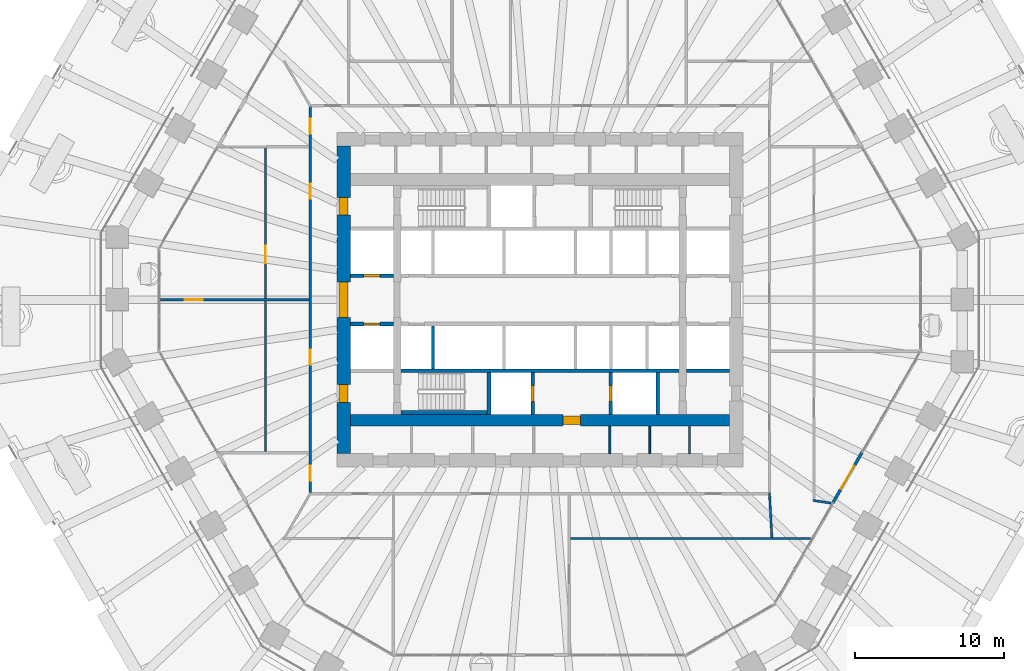
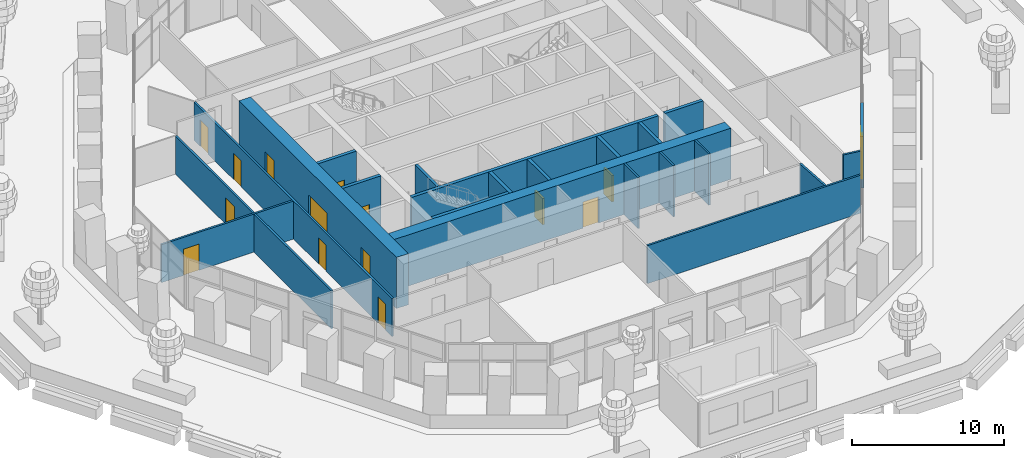
# One storey, part 23 of 32: 22 walls, 15 doors, 1 window, 16 openings.
"""IFC4 building model written with IfcOpenShell, lengths in metres."""

from ifc_helpers import new_model, si_unit, direction, frame, frame_2d, origin, place, context, subcontext, project, spatial, rectangle, extrude, material, layer, layer_set, type_object, element, fill, save


model = new_model("IFC4")

# Units and contexts
model_context = context("Model", 3, precision=1e-05, world=origin(), true_north=direction((0.0, 1.0)))
body_context = subcontext(model_context, "Body", "Model", "MODEL_VIEW")
ifc_project = project(units=[si_unit("LENGTHUNIT", "METRE"), si_unit("AREAUNIT", "SQUARE_METRE"), si_unit("VOLUMEUNIT", "CUBIC_METRE"), si_unit("PLANEANGLEUNIT", "RADIAN"), si_unit("MASSUNIT", "GRAM", prefix="KILO")], contexts=[model_context])

# Site, building, storey
site_placement = place(None, origin())
site = spatial("IfcSite", under=ifc_project, at=site_placement, CompositionType="ELEMENT")
building_placement = place(site_placement, origin())
building = spatial("IfcBuilding", under=site, at=building_placement, Name="Frailejon Research Tower", CompositionType="ELEMENT")
storey_placement = place(building_placement, frame((0.0, 0.0, 14.60009765625)))
storey = spatial("IfcBuildingStorey", under=building, at=storey_placement, Name="L03", CompositionType="ELEMENT", Elevation=14.60009765625)

# Walls
ifc_material_1 = material(Name="Plasterboard on steel studs", Category="steel")
ifc_layer_1 = layer(ifc_material_1, 0.125)
ifc_layer_set_1 = layer_set([ifc_layer_1], Name="Core partition 125")
wall_type_1 = type_object("IfcWallType", Name="Core partition 125", PredefinedType="PARTITIONING", material=ifc_layer_set_1)
for number, where, z_axis, x_axis, name in (
    (1, (4.71240234375, -10.35009765625, 0.0), (0.0, 0.0, 1.0), (0.0, 1.0, 0.0), "Core partition"),
    (2, (7.3916015625, -10.35009765625, 0.0), (0.0, 0.0, 1.0), (0.0, 1.0, 0.0), "Core partition"),
    (3, (10.07080078125, -10.35009765625, 0.0), (0.0, 0.0, 1.0), (0.0, 1.0, 0.0), "Core partition"),
):
    element("IfcWall", number, at=place(storey_placement, frame(where, z_axis=z_axis, x_axis=x_axis)), inside=storey, type_object=wall_type_1, Name=name, PredefinedType="PARTITIONING", context=body_context, shape_type="SweptSolid", body=[
        extrude(rectangle(XDim=1.85009765625, YDim=0.125, at=frame_2d((0.925048828125, 0.0))), origin(), (0.0, 0.0, 1.0), 4.099853515625),
    ])

# Wall, opening, door
ifc_material_2 = material(Name="Concrete C70/85", Category="concrete")
ifc_layer_2 = layer(ifc_material_2, 0.800048828125)
ifc_layer_set_2 = layer_set([ifc_layer_2], Name="Core shear wall 800 C70/85")
wall_type_2 = type_object("IfcWallType", Name="Core shear wall 800 C70/85", PredefinedType="SHEAR", material=ifc_layer_set_2)
wall_1_placement = place(storey_placement, frame((-12.75, -8.10009765625, 0.0), z_axis=(0.0, 0.0, 1.0), x_axis=(1.0, 0.0, 0.0)))
wall_1 = element("IfcWall", 4, at=wall_1_placement, inside=storey, type_object=wall_type_2, Name="Core shear wall", PredefinedType="SHEAR", context=body_context, shape_type="SweptSolid", body=[
    extrude(rectangle(XDim=25.5, YDim=0.800048828125, at=frame_2d((12.75, 0.0))), origin(), (0.0, 0.0, 1.0), 4.099853515625),
])
opening_1_placement = place(wall_1_placement, frame((14.300048828125, 0.0, 0.0)))
opening_1 = element("IfcOpeningElement", 5, at=opening_1_placement, cuts=wall_1, Name="Opening D3", PredefinedType="OPENING", context=body_context, shape_type="SweptSolid", body=[
    extrude(rectangle(XDim=1.199951171875, YDim=2.10009765625, at=frame_2d((0.60009765625, 1.050048828125))), frame((0.0, 0.409912109375, 0.0), z_axis=(0.0, -1.0, 0.0), x_axis=(1.0, 0.0, 0.0)), (0.0, 0.0, 1.0), 0.820068359375),
])
ifc_material_3 = material(Name="Steel", Category="steel")
door_type_1 = type_object("IfcDoorType", Name="Firefighting lobby door", OperationType="SINGLE_SWING_LEFT", PredefinedType="DOOR", material=ifc_material_3)
door_1_placement = place(opening_1_placement, origin())
door_1 = element("IfcDoor", 6, at=door_1_placement, inside=storey, type_object=door_type_1, Name="Firefighting lobby door", OperationType="SINGLE_SWING_LEFT", OverallHeight=2.10009765625, OverallWidth=1.199951171875, PredefinedType="DOOR", context=body_context, shape_type="SweptSolid", body=[
    extrude(rectangle(XDim=1.199951171875, YDim=2.10009765625, at=frame_2d((0.60009765625, 1.050048828125))), frame((0.0, 0.300048828125, 0.0), z_axis=(0.0, -1.0, 0.0), x_axis=(1.0, 0.0, 0.0)), (0.0, 0.0, 1.0), 0.60009765625),
])
fill(opening_1, door_1)

# Wall, openings, doors
ifc_material_4 = material(Name="Concrete C70/85", Category="concrete")
ifc_layer_3 = layer(ifc_material_4, 0.89990234375)
ifc_layer_set_3 = layer_set([ifc_layer_3], Name="Core shear wall 900 C70/85")
wall_type_3 = type_object("IfcWallType", Name="Core shear wall 900 C70/85", PredefinedType="SHEAR", material=ifc_layer_set_3)
wall_2_placement = place(storey_placement, frame((-13.199951171875, -10.35009765625, 0.0), z_axis=(0.0, 0.0, 1.0), x_axis=(0.0, 1.0, 0.0)))
wall_2 = element("IfcWall", 7, at=wall_2_placement, inside=storey, type_object=wall_type_3, Name="Core shear wall", PredefinedType="SHEAR", context=body_context, shape_type="SweptSolid", body=[
    extrude(rectangle(XDim=20.7001953125, YDim=0.89990234375, at=frame_2d((10.35009765625, 0.0))), origin(), (0.0, 0.0, 1.0), 4.099853515625),
])
opening_2_placement = place(wall_2_placement, frame((9.14990234375, 0.0, 0.0)))
opening_2 = element("IfcOpeningElement", 8, at=opening_2_placement, cuts=wall_2, Name="Opening D2", PredefinedType="OPENING", context=body_context, shape_type="SweptSolid", body=[
    extrude(rectangle(XDim=2.39990234375, YDim=2.10009765625, at=frame_2d((1.199951171875, 1.050048828125))), frame((0.0, 0.4599609375, 0.0), z_axis=(0.0, -1.0, 0.0), x_axis=(1.0, 0.0, 0.0)), (0.0, 0.0, 1.0), 0.919921875),
])
opening_3_placement = place(wall_2_placement, frame((16.050048828125, 0.0, 0.0)))
opening_3 = element("IfcOpeningElement", 9, at=opening_3_placement, cuts=wall_2, Name="Opening D7", PredefinedType="OPENING", context=body_context, shape_type="SweptSolid", body=[
    extrude(rectangle(XDim=1.199951171875, YDim=2.10009765625, at=frame_2d((0.60009765625, 1.050048828125))), frame((0.0, 0.4599609375, 0.0), z_axis=(0.0, -1.0, 0.0), x_axis=(1.0, 0.0, 0.0)), (0.0, 0.0, 1.0), 0.919921875),
])
opening_4_placement = place(wall_2_placement, frame((3.449951171875, 0.0, 0.0)))
opening_4 = element("IfcOpeningElement", 10, at=opening_4_placement, cuts=wall_2, Name="Opening D7", PredefinedType="OPENING", context=body_context, shape_type="SweptSolid", body=[
    extrude(rectangle(XDim=1.199951171875, YDim=2.10009765625, at=frame_2d((0.60009765625, 1.050048828125))), frame((0.0, 0.4599609375, 0.0), z_axis=(0.0, -1.0, 0.0), x_axis=(1.0, 0.0, 0.0)), (0.0, 0.0, 1.0), 0.919921875),
])
ifc_material_5 = material(Name="Steel", Category="steel")
door_type_2 = type_object("IfcDoorType", Name="Lobby double door", OperationType="DOUBLE_DOOR_SINGLE_SWING", PredefinedType="DOOR", material=ifc_material_5)
door_2_placement = place(opening_2_placement, origin())
door_2 = element("IfcDoor", 11, at=door_2_placement, inside=storey, type_object=door_type_2, Name="Lobby door", OperationType="DOUBLE_DOOR_SINGLE_SWING", OverallHeight=2.10009765625, OverallWidth=2.39990234375, PredefinedType="DOOR", context=body_context, shape_type="SweptSolid", body=[
    extrude(rectangle(XDim=2.39990234375, YDim=2.10009765625, at=frame_2d((1.199951171875, 1.050048828125))), frame((0.0, 0.300048828125, 0.0), z_axis=(0.0, -1.0, 0.0), x_axis=(1.0, 0.0, 0.0)), (0.0, 0.0, 1.0), 0.60009765625),
])
fill(opening_2, door_2)
ifc_material_6 = material(Name="Steel", Category="steel")
door_type_3 = type_object("IfcDoorType", Name="Stair exit door", OperationType="SINGLE_SWING_LEFT", PredefinedType="DOOR", material=ifc_material_6)
door_3_placement = place(opening_3_placement, origin())
door_3 = element("IfcDoor", 12, at=door_3_placement, inside=storey, type_object=door_type_3, Name="Stair exit door ST1", OperationType="SINGLE_SWING_RIGHT", OverallHeight=2.10009765625, OverallWidth=1.199951171875, PredefinedType="DOOR", context=body_context, shape_type="SweptSolid", body=[
    extrude(rectangle(XDim=1.199951171875, YDim=2.10009765625, at=frame_2d((0.60009765625, 1.050048828125))), frame((0.0, 0.300048828125, 0.0), z_axis=(0.0, -1.0, 0.0), x_axis=(1.0, 0.0, 0.0)), (0.0, 0.0, 1.0), 0.60009765625),
])
fill(opening_3, door_3)
door_4_placement = place(opening_4_placement, origin())
door_4 = element("IfcDoor", 13, at=door_4_placement, inside=storey, type_object=door_type_3, Name="Stair exit door ST2", OperationType="SINGLE_SWING_RIGHT", OverallHeight=2.10009765625, OverallWidth=1.199951171875, PredefinedType="DOOR", context=body_context, shape_type="SweptSolid", body=[
    extrude(rectangle(XDim=1.199951171875, YDim=2.10009765625, at=frame_2d((0.60009765625, 1.050048828125))), frame((0.0, 0.300048828125, 0.0), z_axis=(0.0, -1.0, 0.0), x_axis=(1.0, 0.0, 0.0)), (0.0, 0.0, 1.0), 0.60009765625),
])
fill(opening_4, door_4)

ifc_material_7 = material(Name="Gypsum board and masonry partition", Category="masonry")
ifc_layer_4 = layer(ifc_material_7, 0.14990234375)
ifc_layer_set_4 = layer_set([ifc_layer_4], Name="Corridor wall EI 60, gypsum on steel studs 150")
wall_type_4 = type_object("IfcWallType", Name="Corridor wall EI 60, gypsum on steel studs 150", PredefinedType="PARTITIONING", material=ifc_layer_set_4)
wall_3_placement = place(storey_placement, frame((-15.449951171875, -12.97509765625, 0.0), z_axis=(0.0, 0.0, 1.0), x_axis=(0.0, 1.0, 0.0)))
wall_3 = element("IfcWall", 14, at=wall_3_placement, inside=storey, type_object=wall_type_4, Name="T:IW:L03:003", PredefinedType="PARTITIONING", context=body_context, shape_type="SweptSolid", body=[
    extrude(rectangle(XDim=25.97509765625, YDim=0.14990234375, at=frame_2d((12.987548828125, 0.0))), origin(), (0.0, 0.0, 1.0), 3.0498046875),
])
opening_5_placement = place(wall_3_placement, frame((24.146484375, 0.0, 0.0)))
opening_5 = element("IfcOpeningElement", 15, at=opening_5_placement, cuts=wall_3, Name="Opening D1230", PredefinedType="OPENING", context=body_context, shape_type="SweptSolid", body=[
    extrude(rectangle(XDim=1.0, YDim=2.10009765625, at=frame_2d((0.5, 1.050048828125))), frame((0.0, 0.0849609375, 0.0), z_axis=(0.0, -1.0, 0.0), x_axis=(1.0, 0.0, 0.0)), (0.0, 0.0, 1.0), 0.169921875),
])
opening_6_placement = place(wall_3_placement, frame((19.76953125, 0.0, 0.0)))
opening_6 = element("IfcOpeningElement", 16, at=opening_6_placement, cuts=wall_3, Name="Opening D1231", PredefinedType="OPENING", context=body_context, shape_type="SweptSolid", body=[
    extrude(rectangle(XDim=1.0, YDim=2.10009765625, at=frame_2d((0.5, 1.050048828125))), frame((0.0, 0.0849609375, 0.0), z_axis=(0.0, -1.0, 0.0), x_axis=(1.0, 0.0, 0.0)), (0.0, 0.0, 1.0), 0.169921875),
])
opening_7_placement = place(wall_3_placement, frame((8.617431640625, 0.0, 0.0)))
opening_7 = element("IfcOpeningElement", 17, at=opening_7_placement, cuts=wall_3, Name="Opening D1234", PredefinedType="OPENING", context=body_context, shape_type="SweptSolid", body=[
    extrude(rectangle(XDim=1.0, YDim=2.10009765625, at=frame_2d((0.5, 1.050048828125))), frame((0.0, 0.0849609375, 0.0), z_axis=(0.0, -1.0, 0.0), x_axis=(1.0, 0.0, 0.0)), (0.0, 0.0, 1.0), 0.169921875),
])
opening_8_placement = place(wall_3_placement, frame((0.8037109375, 0.0, 0.0)))
opening_8 = element("IfcOpeningElement", 18, at=opening_8_placement, cuts=wall_3, Name="Opening D1235", PredefinedType="OPENING", context=body_context, shape_type="SweptSolid", body=[
    extrude(rectangle(XDim=1.0, YDim=2.10009765625, at=frame_2d((0.5, 1.050048828125))), frame((0.0, 0.0849609375, 0.0), z_axis=(0.0, -1.0, 0.0), x_axis=(1.0, 0.0, 0.0)), (0.0, 0.0, 1.0), 0.169921875),
])
ifc_material_8 = material(Name="Timber door leaf", Category="wood")
door_type_4 = type_object("IfcDoorType", Name="Door laboratory, timber, vision panel 1000", OperationType="NOTDEFINED", PredefinedType="DOOR", material=ifc_material_8)
door_5_placement = place(opening_6_placement, origin())
door_5 = element("IfcDoor", 19, at=door_5_placement, inside=storey, type_object=door_type_4, Name="D1231", OperationType="SINGLE_SWING_LEFT", OverallHeight=2.10009765625, OverallWidth=1.0, PredefinedType="DOOR", context=body_context, shape_type="SweptSolid", body=[
    extrude(rectangle(XDim=1.0, YDim=2.10009765625, at=frame_2d((0.5, 1.050048828125))), frame((0.0, 0.02490234375, 0.0), z_axis=(0.0, -1.0, 0.0), x_axis=(1.0, 0.0, 0.0)), (0.0, 0.0, 1.0), 0.050048828125),
])
fill(opening_6, door_5)
door_6_placement = place(opening_7_placement, origin())
door_6 = element("IfcDoor", 20, at=door_6_placement, inside=storey, type_object=door_type_4, Name="D1234", OperationType="SINGLE_SWING_RIGHT", OverallHeight=2.10009765625, OverallWidth=1.0, PredefinedType="DOOR", context=body_context, shape_type="SweptSolid", body=[
    extrude(rectangle(XDim=1.0, YDim=2.10009765625, at=frame_2d((0.5, 1.050048828125))), frame((0.0, 0.02490234375, 0.0), z_axis=(0.0, -1.0, 0.0), x_axis=(1.0, 0.0, 0.0)), (0.0, 0.0, 1.0), 0.050048828125),
])
fill(opening_7, door_6)
ifc_material_9 = material(Name="Timber door leaf", Category="wood")
door_type_5 = type_object("IfcDoorType", Name="Door single leaf, timber, steel frame 1000", OperationType="NOTDEFINED", PredefinedType="DOOR", material=ifc_material_9)
door_7_placement = place(opening_5_placement, origin())
door_7 = element("IfcDoor", 21, at=door_7_placement, inside=storey, type_object=door_type_5, Name="D1230", OperationType="SINGLE_SWING_LEFT", OverallHeight=2.10009765625, OverallWidth=1.0, PredefinedType="DOOR", context=body_context, shape_type="SweptSolid", body=[
    extrude(rectangle(XDim=1.0, YDim=2.10009765625, at=frame_2d((0.5, 1.050048828125))), frame((0.0, 0.02490234375, 0.0), z_axis=(0.0, -1.0, 0.0), x_axis=(1.0, 0.0, 0.0)), (0.0, 0.0, 1.0), 0.050048828125),
])
fill(opening_5, door_7)
door_8_placement = place(opening_8_placement, origin())
door_8 = element("IfcDoor", 22, at=door_8_placement, inside=storey, type_object=door_type_5, Name="D1235", OperationType="SINGLE_SWING_RIGHT", OverallHeight=2.10009765625, OverallWidth=1.0, PredefinedType="DOOR", context=body_context, shape_type="SweptSolid", body=[
    extrude(rectangle(XDim=1.0, YDim=2.10009765625, at=frame_2d((0.5, 1.050048828125))), frame((0.0, 0.02490234375, 0.0), z_axis=(0.0, -1.0, 0.0), x_axis=(1.0, 0.0, 0.0)), (0.0, 0.0, 1.0), 0.050048828125),
])
fill(opening_8, door_8)

# Wall, opening, door
ifc_material_10 = material(Name="Gypsum board and masonry partition", Category="masonry")
ifc_layer_5 = layer(ifc_material_10, 0.14990234375)
ifc_layer_set_5 = layer_set([ifc_layer_5], Name="Laboratory partition, blockwork 150")
wall_type_5 = type_object("IfcWallType", Name="Laboratory partition, blockwork 150", PredefinedType="PARTITIONING", material=ifc_layer_set_5)
wall_4_placement = place(storey_placement, frame((-18.449951171875, -10.2177734375, 0.0), z_axis=(0.0, 0.0, 1.0), x_axis=(0.0, 1.0, 0.0)))
wall_4 = element("IfcWall", 23, at=wall_4_placement, inside=storey, type_object=wall_type_5, Name="T:IW:L03:016", PredefinedType="PARTITIONING", context=body_context, shape_type="SweptSolid", body=[
    extrude(rectangle(XDim=20.460693359375, YDim=0.14990234375, at=frame_2d((10.23046875, 0.0))), origin(), (0.0, 0.0, 1.0), 3.0498046875),
])
opening_9_placement = place(wall_4_placement, frame((12.666015625, 0.0, 0.0)))
opening_9 = element("IfcOpeningElement", 24, at=opening_9_placement, cuts=wall_4, Name="Opening D1232", PredefinedType="OPENING", context=body_context, shape_type="SweptSolid", body=[
    extrude(rectangle(XDim=1.199951171875, YDim=2.10009765625, at=frame_2d((0.60009765625, 1.050048828125))), frame((0.0, 0.0849609375, 0.0), z_axis=(0.0, -1.0, 0.0), x_axis=(1.0, 0.0, 0.0)), (0.0, 0.0, 1.0), 0.169921875),
])
ifc_material_11 = material(Name="Timber door leaf", Category="wood")
door_type_6 = type_object("IfcDoorType", Name="Door single leaf, timber, steel frame 1200", OperationType="NOTDEFINED", PredefinedType="DOOR", material=ifc_material_11)
door_9_placement = place(opening_9_placement, origin())
door_9 = element("IfcDoor", 25, at=door_9_placement, inside=storey, type_object=door_type_6, Name="D1232", OperationType="DOUBLE_DOOR_SINGLE_SWING", OverallHeight=2.10009765625, OverallWidth=1.199951171875, PredefinedType="DOOR", context=body_context, shape_type="SweptSolid", body=[
    extrude(rectangle(XDim=1.199951171875, YDim=2.10009765625, at=frame_2d((0.60009765625, 1.050048828125))), frame((0.0, 0.02490234375, 0.0), z_axis=(0.0, -1.0, 0.0), x_axis=(1.0, 0.0, 0.0)), (0.0, 0.0, 1.0), 0.050048828125),
])
fill(opening_9, door_9)

wall_5_placement = place(storey_placement, frame((-25.5126953125, 0.0, 0.0), z_axis=(0.0, 0.0, 1.0), x_axis=(1.0, 0.0, 0.0)))
wall_5 = element("IfcWall", 26, at=wall_5_placement, inside=storey, type_object=wall_type_5, Name="T:IW:L03:017", PredefinedType="PARTITIONING", context=body_context, shape_type="SweptSolid", body=[
    extrude(rectangle(XDim=9.98779296875, YDim=0.14990234375, at=frame_2d((4.993896484375, 0.0))), origin(), (0.0, 0.0, 1.0), 3.0498046875),
])
opening_10_placement = place(wall_5_placement, frame((1.640625, 0.0, 0.0)))
opening_10 = element("IfcOpeningElement", 27, at=opening_10_placement, cuts=wall_5, Name="Opening D1233", PredefinedType="OPENING", context=body_context, shape_type="SweptSolid", body=[
    extrude(rectangle(XDim=1.199951171875, YDim=2.10009765625, at=frame_2d((0.60009765625, 1.050048828125))), frame((0.0, 0.0849609375, 0.0), z_axis=(0.0, -1.0, 0.0), x_axis=(1.0, 0.0, 0.0)), (0.0, 0.0, 1.0), 0.169921875),
])
ifc_material_12 = material(Name="Timber door leaf", Category="wood")
door_type_7 = type_object("IfcDoorType", Name="Door laboratory, timber, vision panel 1200", OperationType="NOTDEFINED", PredefinedType="DOOR", material=ifc_material_12)
door_10_placement = place(opening_10_placement, origin())
door_10 = element("IfcDoor", 28, at=door_10_placement, inside=storey, type_object=door_type_7, Name="D1233", OperationType="DOUBLE_DOOR_SINGLE_SWING", OverallHeight=2.10009765625, OverallWidth=1.199951171875, PredefinedType="DOOR", context=body_context, shape_type="SweptSolid", body=[
    extrude(rectangle(XDim=1.199951171875, YDim=2.10009765625, at=frame_2d((0.60009765625, 1.050048828125))), frame((0.0, 0.02490234375, 0.0), z_axis=(0.0, -1.0, 0.0), x_axis=(1.0, 0.0, 0.0)), (0.0, 0.0, 1.0), 0.050048828125),
])
fill(opening_10, door_10)

# Walls
wall_6_placement = place(storey_placement, frame((2.04638671875, -16.050048828125, 0.0), z_axis=(0.0, 0.0, 1.0), x_axis=(1.0, 0.0, 0.0)))
element("IfcWall", 29, at=wall_6_placement, inside=storey, type_object=wall_type_5, Name="T:IW:L03:020", PredefinedType="PARTITIONING", context=body_context, shape_type="SweptSolid", body=[
    extrude(rectangle(XDim=16.1689453125, YDim=0.14990234375, at=frame_2d((8.08447265625, 0.0))), origin(), (0.0, 0.0, 1.0), 3.0498046875),
])
wall_7_placement = place(storey_placement, frame((15.44580078125, -12.97509765625, 0.0), z_axis=(0.0, 0.0, 1.0), x_axis=(0.054281830831, -0.998525654574, 0.0)))
element("IfcWall", 30, at=wall_7_placement, inside=storey, type_object=wall_type_5, Name="T:IW:L03:023", PredefinedType="PARTITIONING", context=body_context, shape_type="SweptSolid", body=[
    extrude(rectangle(XDim=3.00439453125, YDim=0.14990234375, at=frame_2d((1.502197265625, 0.0))), origin(), (0.0, 0.0, 1.0), 3.0498046875),
])
wall_8_placement = place(storey_placement, frame((18.375732421875, -13.4921875, 0.0), z_axis=(0.0, 0.0, 1.0), x_axis=(0.988789647893, -0.149315210942, 0.0)))
element("IfcWall", 31, at=wall_8_placement, inside=storey, type_object=wall_type_5, Name="T:IW:L03:024", PredefinedType="PARTITIONING", context=body_context, shape_type="SweptSolid", body=[
    extrude(rectangle(XDim=1.224609375, YDim=0.14990234375, at=frame_2d((0.6123046875, 0.0))), origin(), (0.0, 0.0, 1.0), 3.0498046875),
])
ifc_material_13 = material(Name="Concrete C70/85", Category="concrete")
ifc_layer_6 = layer(ifc_material_13, 0.199951171875)
ifc_layer_set_6 = layer_set([ifc_layer_6], Name="Shaft wall 200 C70/85")
wall_type_6 = type_object("IfcWallType", Name="Shaft wall 200 C70/85", PredefinedType="SOLIDWALL", material=ifc_layer_set_6)
wall_9_placement = place(storey_placement, frame((-7.199951171875, -4.64990234375, 0.0), z_axis=(0.0, 0.0, 1.0), x_axis=(0.0, 1.0, 0.0)))
element("IfcWall", 32, at=wall_9_placement, inside=storey, type_object=wall_type_6, Name="Shaft wall", PredefinedType="SOLIDWALL", context=body_context, shape_type="SweptSolid", body=[
    extrude(rectangle(XDim=2.89990234375, YDim=0.199951171875, at=frame_2d((1.449951171875, 0.0))), origin(), (0.0, 0.0, 1.0), 4.099853515625),
])

# Wall, opening, door
ifc_material_14 = material(Name="Concrete C70/85", Category="concrete")
ifc_layer_7 = layer(ifc_material_14, 0.25)
ifc_layer_set_7 = layer_set([ifc_layer_7], Name="Shaft wall 250 C70/85")
wall_type_7 = type_object("IfcWallType", Name="Shaft wall 250 C70/85", PredefinedType="SOLIDWALL", material=ifc_layer_set_7)
wall_10_placement = place(storey_placement, frame((-12.75, 1.625, 0.0), z_axis=(0.0, 0.0, 1.0), x_axis=(1.0, 0.0, 0.0)))
wall_10 = element("IfcWall", 33, at=wall_10_placement, inside=storey, type_object=wall_type_7, Name="Shaft wall", PredefinedType="SOLIDWALL", context=body_context, shape_type="SweptSolid", body=[
    extrude(rectangle(XDim=2.89990234375, YDim=0.25, at=frame_2d((1.449951171875, 0.0))), origin(), (0.0, 0.0, 1.0), 4.099853515625),
])
opening_11_placement = place(wall_10_placement, frame((0.89990234375, 0.0, 0.0)))
opening_11 = element("IfcOpeningElement", 34, at=opening_11_placement, cuts=wall_10, Name="Opening LD", PredefinedType="OPENING", context=body_context, shape_type="SweptSolid", body=[
    extrude(rectangle(XDim=1.10009765625, YDim=2.10009765625, at=frame_2d((0.550048828125, 1.050048828125))), frame((0.0, 0.135009765625, 0.0), z_axis=(0.0, -1.0, 0.0), x_axis=(1.0, 0.0, 0.0)), (0.0, 0.0, 1.0), 0.27001953125),
])
ifc_material_15 = material(Name="Steel", Category="steel")
door_type_8 = type_object("IfcDoorType", Name="Lift landing door", OperationType="DOUBLE_DOOR_SLIDING", PredefinedType="DOOR", material=ifc_material_15)
door_11_placement = place(opening_11_placement, origin())
door_11 = element("IfcDoor", 35, at=door_11_placement, inside=storey, type_object=door_type_8, Name="Lift landing door", OperationType="DOUBLE_DOOR_SLIDING", OverallHeight=2.10009765625, OverallWidth=1.10009765625, PredefinedType="DOOR", context=body_context, shape_type="SweptSolid", body=[
    extrude(rectangle(XDim=1.10009765625, YDim=2.10009765625, at=frame_2d((0.550048828125, 1.050048828125))), frame((0.0, 0.074951171875, 0.0), z_axis=(0.0, -1.0, 0.0), x_axis=(1.0, 0.0, 0.0)), (0.0, 0.0, 1.0), 0.14990234375),
])
fill(opening_11, door_11)

wall_11_placement = place(storey_placement, frame((-12.75, -1.625, 0.0), z_axis=(0.0, 0.0, 1.0), x_axis=(1.0, 0.0, 0.0)))
wall_11 = element("IfcWall", 36, at=wall_11_placement, inside=storey, type_object=wall_type_7, Name="Shaft wall", PredefinedType="SOLIDWALL", context=body_context, shape_type="SweptSolid", body=[
    extrude(rectangle(XDim=2.89990234375, YDim=0.25, at=frame_2d((1.449951171875, 0.0))), origin(), (0.0, 0.0, 1.0), 4.099853515625),
])
opening_12_placement = place(wall_11_placement, frame((0.89990234375, 0.0, 0.0)))
opening_12 = element("IfcOpeningElement", 37, at=opening_12_placement, cuts=wall_11, Name="Opening LD", PredefinedType="OPENING", context=body_context, shape_type="SweptSolid", body=[
    extrude(rectangle(XDim=1.10009765625, YDim=2.10009765625, at=frame_2d((0.550048828125, 1.050048828125))), frame((0.0, 0.135009765625, 0.0), z_axis=(0.0, -1.0, 0.0), x_axis=(1.0, 0.0, 0.0)), (0.0, 0.0, 1.0), 0.27001953125),
])
door_12_placement = place(opening_12_placement, origin())
door_12 = element("IfcDoor", 38, at=door_12_placement, inside=storey, type_object=door_type_8, Name="Lift landing door", OperationType="DOUBLE_DOOR_SLIDING", OverallHeight=2.10009765625, OverallWidth=1.10009765625, PredefinedType="DOOR", context=body_context, shape_type="SweptSolid", body=[
    extrude(rectangle(XDim=1.10009765625, YDim=2.10009765625, at=frame_2d((0.550048828125, 1.050048828125))), frame((0.0, 0.074951171875, 0.0), z_axis=(0.0, -1.0, 0.0), x_axis=(1.0, 0.0, 0.0)), (0.0, 0.0, 1.0), 0.14990234375),
])
fill(opening_12, door_12)

# Walls
wall_12_placement = place(storey_placement, frame((-9.35009765625, -4.77490234375, 0.0), z_axis=(0.0, 0.0, 1.0), x_axis=(1.0, 0.0, 0.0)))
element("IfcWall", 39, at=wall_12_placement, inside=storey, type_object=wall_type_7, Name="Shaft wall", PredefinedType="SOLIDWALL", context=body_context, shape_type="SweptSolid", body=[
    extrude(rectangle(XDim=18.7001953125, YDim=0.25, at=frame_2d((9.35009765625, 0.0))), origin(), (0.0, 0.0, 1.0), 4.099853515625),
])
wall_13_placement = place(storey_placement, frame((9.85009765625, -4.77490234375, 0.0), z_axis=(0.0, 0.0, 1.0), x_axis=(1.0, 0.0, 0.0)))
element("IfcWall", 40, at=wall_13_placement, inside=storey, type_object=wall_type_7, Name="Shaft wall", PredefinedType="SOLIDWALL", context=body_context, shape_type="SweptSolid", body=[
    extrude(rectangle(XDim=2.89990234375, YDim=0.25, at=frame_2d((1.449951171875, 0.0))), origin(), (0.0, 0.0, 1.0), 4.099853515625),
])
wall_14_placement = place(storey_placement, frame((-9.35009765625, -7.574951171875, 0.0), z_axis=(0.0, 0.0, 1.0), x_axis=(1.0, 0.0, 0.0)))
element("IfcWall", 41, at=wall_14_placement, inside=storey, type_object=wall_type_7, Name="Shaft wall", PredefinedType="SOLIDWALL", context=body_context, shape_type="SweptSolid", body=[
    extrude(rectangle(XDim=5.800048828125, YDim=0.25, at=frame_2d((2.89990234375, 0.0))), origin(), (0.0, 0.0, 1.0), 4.099853515625),
])
wall_15_placement = place(storey_placement, frame((-3.425048828125, -7.699951171875, 0.0), z_axis=(0.0, 0.0, 1.0), x_axis=(0.0, 1.0, 0.0)))
element("IfcWall", 42, at=wall_15_placement, inside=storey, type_object=wall_type_7, Name="Shaft wall", PredefinedType="SOLIDWALL", context=body_context, shape_type="SweptSolid", body=[
    extrude(rectangle(XDim=2.800048828125, YDim=0.25, at=frame_2d((1.39990234375, 0.0))), origin(), (0.0, 0.0, 1.0), 4.099853515625),
])

# Wall, opening, door
wall_16_placement = place(storey_placement, frame((-0.47509765625, -7.699951171875, 0.0), z_axis=(0.0, 0.0, 1.0), x_axis=(0.0, 1.0, 0.0)))
wall_16 = element("IfcWall", 43, at=wall_16_placement, inside=storey, type_object=wall_type_7, Name="Shaft wall", PredefinedType="SOLIDWALL", context=body_context, shape_type="SweptSolid", body=[
    extrude(rectangle(XDim=2.800048828125, YDim=0.25, at=frame_2d((1.39990234375, 0.0))), origin(), (0.0, 0.0, 1.0), 4.099853515625),
])
opening_13_placement = place(wall_16_placement, frame((0.85009765625, 0.0, 0.0)))
opening_13 = element("IfcOpeningElement", 44, at=opening_13_placement, cuts=wall_16, Name="Opening LD", PredefinedType="OPENING", context=body_context, shape_type="SweptSolid", body=[
    extrude(rectangle(XDim=1.10009765625, YDim=2.10009765625, at=frame_2d((0.550048828125, 1.050048828125))), frame((0.0, 0.135009765625, 0.0), z_axis=(0.0, -1.0, 0.0), x_axis=(1.0, 0.0, 0.0)), (0.0, 0.0, 1.0), 0.27001953125),
])
door_13_placement = place(opening_13_placement, origin())
door_13 = element("IfcDoor", 45, at=door_13_placement, inside=storey, type_object=door_type_8, Name="Lift landing door", OperationType="DOUBLE_DOOR_SLIDING", OverallHeight=2.10009765625, OverallWidth=1.10009765625, PredefinedType="DOOR", context=body_context, shape_type="SweptSolid", body=[
    extrude(rectangle(XDim=1.10009765625, YDim=2.10009765625, at=frame_2d((0.550048828125, 1.050048828125))), frame((0.0, 0.074951171875, 0.0), z_axis=(0.0, -1.0, 0.0), x_axis=(1.0, 0.0, 0.0)), (0.0, 0.0, 1.0), 0.14990234375),
])
fill(opening_13, door_13)

wall_17_placement = place(storey_placement, frame((4.77490234375, -7.699951171875, 0.0), z_axis=(0.0, 0.0, 1.0), x_axis=(0.0, 1.0, 0.0)))
wall_17 = element("IfcWall", 46, at=wall_17_placement, inside=storey, type_object=wall_type_7, Name="Shaft wall", PredefinedType="SOLIDWALL", context=body_context, shape_type="SweptSolid", body=[
    extrude(rectangle(XDim=2.800048828125, YDim=0.25, at=frame_2d((1.39990234375, 0.0))), origin(), (0.0, 0.0, 1.0), 4.099853515625),
])
opening_14_placement = place(wall_17_placement, frame((0.85009765625, 0.0, 0.0)))
opening_14 = element("IfcOpeningElement", 47, at=opening_14_placement, cuts=wall_17, Name="Opening LD", PredefinedType="OPENING", context=body_context, shape_type="SweptSolid", body=[
    extrude(rectangle(XDim=1.10009765625, YDim=2.10009765625, at=frame_2d((0.550048828125, 1.050048828125))), frame((0.0, 0.135009765625, 0.0), z_axis=(0.0, -1.0, 0.0), x_axis=(1.0, 0.0, 0.0)), (0.0, 0.0, 1.0), 0.27001953125),
])
door_14_placement = place(opening_14_placement, origin())
door_14 = element("IfcDoor", 48, at=door_14_placement, inside=storey, type_object=door_type_8, Name="Lift landing door", OperationType="DOUBLE_DOOR_SLIDING", OverallHeight=2.10009765625, OverallWidth=1.10009765625, PredefinedType="DOOR", context=body_context, shape_type="SweptSolid", body=[
    extrude(rectangle(XDim=1.10009765625, YDim=2.10009765625, at=frame_2d((0.550048828125, 1.050048828125))), frame((0.0, 0.074951171875, 0.0), z_axis=(0.0, -1.0, 0.0), x_axis=(1.0, 0.0, 0.0)), (0.0, 0.0, 1.0), 0.14990234375),
])
fill(opening_14, door_14)

# Wall
wall_18_placement = place(storey_placement, frame((7.925048828125, -7.699951171875, 0.0), z_axis=(0.0, 0.0, 1.0), x_axis=(0.0, 1.0, 0.0)))
element("IfcWall", 49, at=wall_18_placement, inside=storey, type_object=wall_type_7, Name="Shaft wall", PredefinedType="SOLIDWALL", context=body_context, shape_type="SweptSolid", body=[
    extrude(rectangle(XDim=2.800048828125, YDim=0.25, at=frame_2d((1.39990234375, 0.0))), origin(), (0.0, 0.0, 1.0), 4.099853515625),
])

# Wall, openings, door, window
ifc_material_16 = material(Name="Concrete C40/50 precast window wall panel", Category="concrete")
ifc_layer_8 = layer(ifc_material_16, 0.199951171875)
ifc_layer_set_8 = layer_set([ifc_layer_8], Name="Window wall 200")
wall_type_8 = type_object("IfcWallType", Name="Window wall 200", PredefinedType="SOLIDWALL", material=ifc_layer_set_8)
wall_19_placement = place(storey_placement, frame((19.715087890625, -13.652587890625, 0.0), z_axis=(0.0, 0.0, 1.0), x_axis=(0.499985832843, 0.866033583042, 0.0)))
wall_19 = element("IfcWall", 50, at=wall_19_placement, inside=storey, type_object=wall_type_8, Name="Door pier L03", PredefinedType="SOLIDWALL", context=body_context, shape_type="SweptSolid", body=[
    extrude(rectangle(XDim=3.931640625, YDim=0.199951171875, at=frame_2d((1.9658203125, 0.0))), origin(), (0.0, 0.0, 1.0), 4.099853515625),
])
opening_15_placement = place(wall_19_placement, frame((1.06591796875, 0.0, 0.0)))
opening_15 = element("IfcOpeningElement", 51, at=opening_15_placement, cuts=wall_19, Name="Opening LG03-6", PredefinedType="OPENING", context=body_context, shape_type="SweptSolid", body=[
    extrude(rectangle(XDim=1.800048828125, YDim=2.39990234375, at=frame_2d((0.89990234375, 1.199951171875))), frame((0.0, 0.10986328125, 0.0), z_axis=(0.0, -1.0, 0.0), x_axis=(1.0, 0.0, 0.0)), (0.0, 0.0, 1.0), 0.219970703125),
])
opening_16_placement = place(wall_19_placement, frame((1.06591796875, 0.0, 2.550048828125)))
opening_16 = element("IfcOpeningElement", 52, at=opening_16_placement, cuts=wall_19, Name="Opening W1", PredefinedType="OPENING", context=body_context, shape_type="SweptSolid", body=[
    extrude(rectangle(XDim=1.800048828125, YDim=0.449951171875, at=frame_2d((0.89990234375, 0.22509765625))), frame((0.0, 0.10986328125, 0.0), z_axis=(0.0, -1.0, 0.0), x_axis=(1.0, 0.0, 0.0)), (0.0, 0.0, 1.0), 0.219970703125),
])
ifc_material_17 = material(Name="Aluminium framed glazed door leaf", Category="aluminium")
door_type_9 = type_object("IfcDoorType", Name="Loggia door 1800x2400", OperationType="DOUBLE_DOOR_SINGLE_SWING", PredefinedType="DOOR", material=ifc_material_17)
door_15_placement = place(opening_15_placement, origin())
door_15 = element("IfcDoor", 53, at=door_15_placement, inside=storey, type_object=door_type_9, Name="Door LG03-6", OperationType="DOUBLE_DOOR_SINGLE_SWING", OverallHeight=2.39990234375, OverallWidth=1.800048828125, PredefinedType="DOOR", context=body_context, shape_type="SweptSolid", body=[
    extrude(rectangle(XDim=1.800048828125, YDim=2.39990234375, at=frame_2d((0.89990234375, 1.199951171875))), frame((0.0, 0.02490234375, 0.0), z_axis=(0.0, -1.0, 0.0), x_axis=(1.0, 0.0, 0.0)), (0.0, 0.0, 1.0), 0.050048828125),
])
fill(opening_15, door_15)
ifc_material_18 = material(Name="Aluminium framed double glazing", Category="aluminium")
window_type = type_object("IfcWindowType", Name="Window 1800x450", PartitioningType="SINGLE_PANEL", PredefinedType="WINDOW", material=ifc_material_18)
window_placement = place(opening_16_placement, origin())
window = element("IfcWindow", 54, at=window_placement, inside=storey, type_object=window_type, Name="Window L03", OverallHeight=0.449951171875, OverallWidth=1.800048828125, PartitioningType="SINGLE_PANEL", PredefinedType="WINDOW", context=body_context, shape_type="SweptSolid", body=[
    extrude(rectangle(XDim=1.800048828125, YDim=0.449951171875, at=frame_2d((0.89990234375, 0.22509765625))), frame((0.0, 0.030029296875, 0.0), z_axis=(0.0, -1.0, 0.0), x_axis=(1.0, 0.0, 0.0)), (0.0, 0.0, 1.0), 0.06005859375),
])
fill(opening_16, window)

save(model, "model.ifc")
